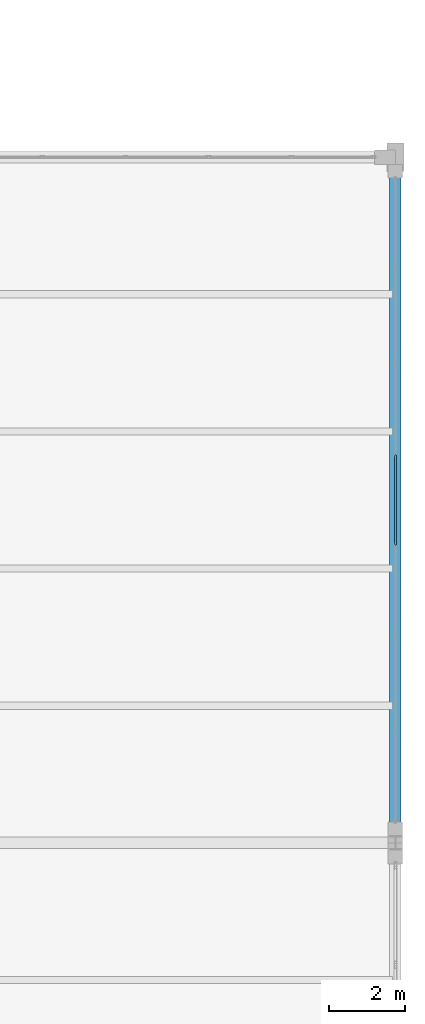
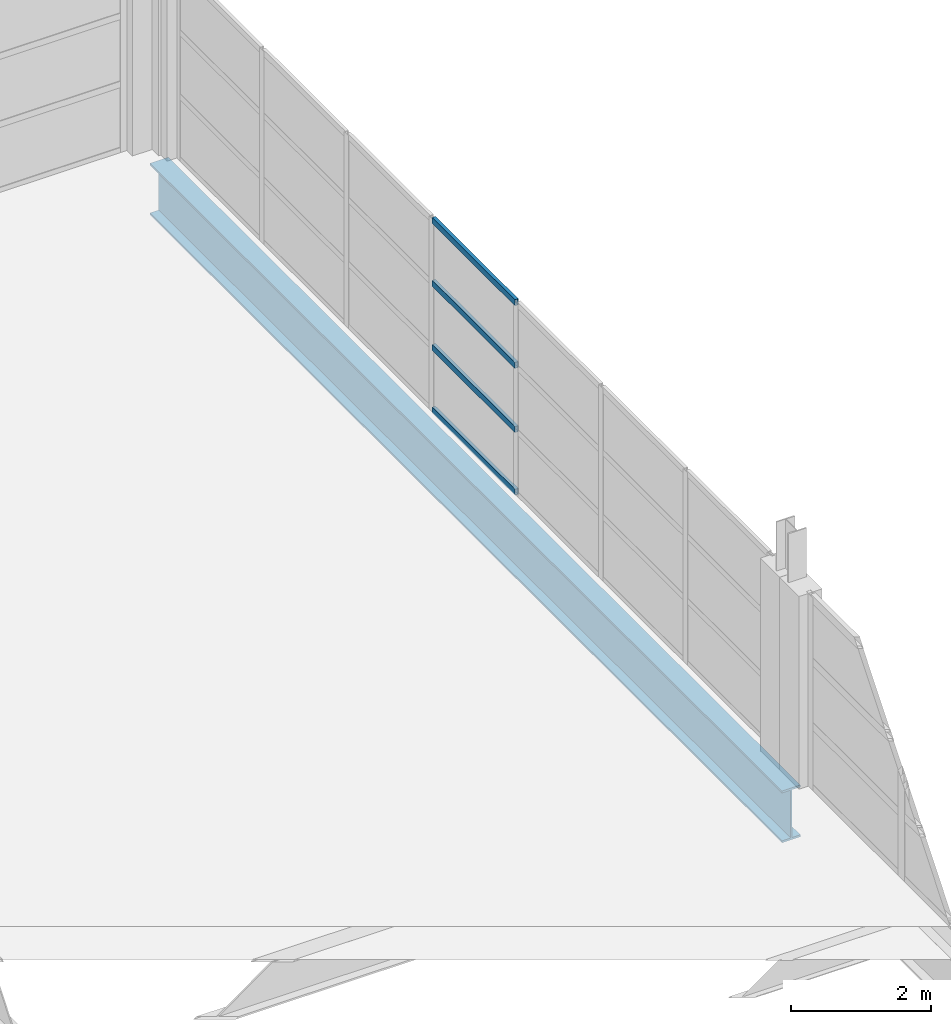
# One storey, part 117 of 147: 4 members, 1 beam, 1 element without a shape of its own.
"""IFC4 building model written with IfcOpenShell, lengths in metres."""

from ifc_helpers import new_model, si_unit, direction, frame, origin, origin_2d, place, context, subcontext, project, spatial, hollow_rectangle, i_section, extrude, material, layer, layer_set, material_profile, profile_set, type_object, element, aggregate, save


model = new_model("IFC4")

# Units and contexts
model_context = context("Model", 3, precision=1e-05, world=origin(), true_north=direction((0.0, 1.0)))
body_context = subcontext(model_context, "Body", "Model", "MODEL_VIEW")
ifc_project = project(units=[si_unit("LENGTHUNIT", "METRE"), si_unit("AREAUNIT", "SQUARE_METRE"), si_unit("VOLUMEUNIT", "CUBIC_METRE"), si_unit("PLANEANGLEUNIT", "RADIAN"), si_unit("MASSUNIT", "GRAM", prefix="KILO")], contexts=[model_context])

# Site, building, storey
site_placement = place(None, origin())
site = spatial("IfcSite", under=ifc_project, at=site_placement, CompositionType="ELEMENT")
building_placement = place(site_placement, origin())
building = spatial("IfcBuilding", under=site, at=building_placement, Name="Zilviju Railside Exhibition Hall", CompositionType="ELEMENT")
storey_placement = place(building_placement, frame((0.0, 0.0, 8.39990234375)))
storey = spatial("IfcBuildingStorey", under=building, at=storey_placement, Name="L03", CompositionType="ELEMENT", Elevation=8.39990234375)

# Beam
ifc_material_1 = material(Name="Steel S355J2", Category="steel")
ifc_material_profile_1 = material_profile(ifc_material_1, i_section(OverallWidth=0.300048828125, OverallDepth=0.89990234375, WebThickness=0.0185546875, FlangeThickness=0.034912109375, at=origin_2d()), Name="HEB 900")
ifc_profile_set_1 = profile_set([ifc_material_profile_1], Name="Steel S355J2")
beam_type = type_object("IfcBeamType", Name="BM-HEB900", PredefinedType="BEAM", material=ifc_profile_set_1)
beam_placement = place(storey_placement, frame((216.0, 120.0, -0.829833984375), z_axis=(0.0, 1.0, 0.0), x_axis=(-1.0, 0.0, 0.0)))
element("IfcBeam", 1, at=beam_placement, inside=storey, type_object=beam_type, Name="Transverse Girder L03 X=216.0 (120.0..138.0)", PredefinedType="BEAM", context=body_context, shape_type="SweptSolid", body=[
    extrude(i_section(OverallWidth=0.300048828125, OverallDepth=0.89990234375, WebThickness=0.0185546875, FlangeThickness=0.034912109375, at=origin_2d()), origin(), (0.0, 0.0, 1.0), 18.0),
])

# Curtain wall, members
ifc_material_2 = material(Name="Thermally broken aluminium-steel triple-glazed curtain wall", Category="steel")
ifc_layer = layer(ifc_material_2, 0.179931640625)
ifc_layer_set = layer_set([ifc_layer], Name="Thermally broken aluminium-steel triple-glazed curtain wall")
curtain_wall_type = type_object("IfcCurtainWallType", Name="CW-BAY-10", PredefinedType="USERDEFINED", material=ifc_layer_set)
curtain_wall_placement = place(storey_placement, origin())
curtain_wall = element("IfcCurtainWall", 2, at=curtain_wall_placement, inside=storey, type_object=curtain_wall_type, Name="North Hall East Glazed Gable L03 (120..138)", ObjectType="GLAZED CURTAIN WALL", PredefinedType="USERDEFINED")
ifc_material_3 = material(Name="Thermally broken anodized aluminium transom", Category="aluminium")
ifc_material_profile_2 = material_profile(ifc_material_3, hollow_rectangle(XDim=0.054931640625, YDim=0.10498046875, WallThickness=0.0048828125, at=origin_2d()), Name="TRANSOM 105x55x5")
ifc_profile_set_2 = profile_set([ifc_material_profile_2], Name="Thermally broken anodized aluminium transom")
member_type = type_object("IfcMemberType", Name="CWT-55x105", PredefinedType="USERDEFINED", material=ifc_profile_set_2)
member_1_placement = place(storey_placement, frame((216.0, 130.1796875, 0.027587890625), z_axis=(0.0, -1.0, 0.0), x_axis=(1.0, 0.0, 0.0)))
member_1 = element("IfcMember", 3, at=member_1_placement, type_object=member_type, Name="CW-10 transom 4.1", ObjectType="TRANSOM", PredefinedType="USERDEFINED", context=body_context, shape_type="SweptSolid", body=[
    extrude(hollow_rectangle(XDim=0.054931640625, YDim=0.10498046875, WallThickness=0.0048828125, at=origin_2d()), origin(), (0.0, 0.0, 1.0), 2.359375),
])
member_2_placement = place(storey_placement, frame((216.0, 130.1796875, 1.1171875), z_axis=(0.0, -1.0, 0.0), x_axis=(1.0, 0.0, 0.0)))
member_2 = element("IfcMember", 4, at=member_2_placement, type_object=member_type, Name="CW-10 transom 4.2", ObjectType="TRANSOM", PredefinedType="USERDEFINED", context=body_context, shape_type="SweptSolid", body=[
    extrude(hollow_rectangle(XDim=0.054931640625, YDim=0.10498046875, WallThickness=0.0048828125, at=origin_2d()), origin(), (0.0, 0.0, 1.0), 2.359375),
])
member_3_placement = place(storey_placement, frame((216.0, 130.1796875, 2.233154296875), z_axis=(0.0, -1.0, 0.0), x_axis=(1.0, 0.0, 0.0)))
member_3 = element("IfcMember", 5, at=member_3_placement, type_object=member_type, Name="CW-10 transom 4.3", ObjectType="TRANSOM", PredefinedType="USERDEFINED", context=body_context, shape_type="SweptSolid", body=[
    extrude(hollow_rectangle(XDim=0.054931640625, YDim=0.10498046875, WallThickness=0.0048828125, at=origin_2d()), origin(), (0.0, 0.0, 1.0), 2.359375),
])
member_4_placement = place(storey_placement, frame((216.0, 130.1796875, 3.322509765625), z_axis=(0.0, -1.0, 0.0), x_axis=(1.0, 0.0, 0.0)))
member_4 = element("IfcMember", 6, at=member_4_placement, type_object=member_type, Name="CW-10 transom 4.4", ObjectType="TRANSOM", PredefinedType="USERDEFINED", context=body_context, shape_type="SweptSolid", body=[
    extrude(hollow_rectangle(XDim=0.054931640625, YDim=0.10498046875, WallThickness=0.0048828125, at=origin_2d()), origin(), (0.0, 0.0, 1.0), 2.359375),
])
aggregate(curtain_wall, [member_1, member_2, member_3, member_4])

save(model, "model.ifc")
